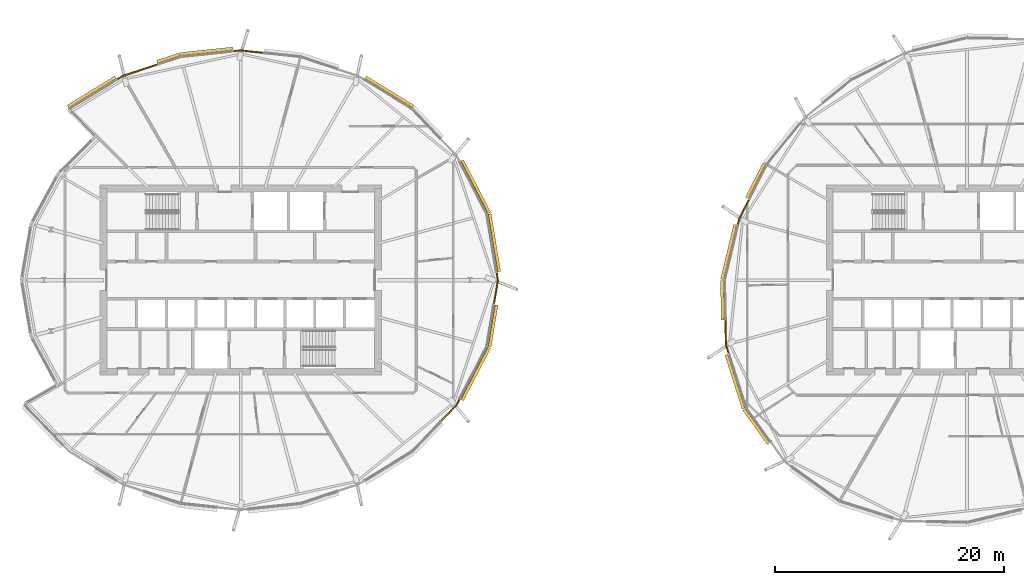
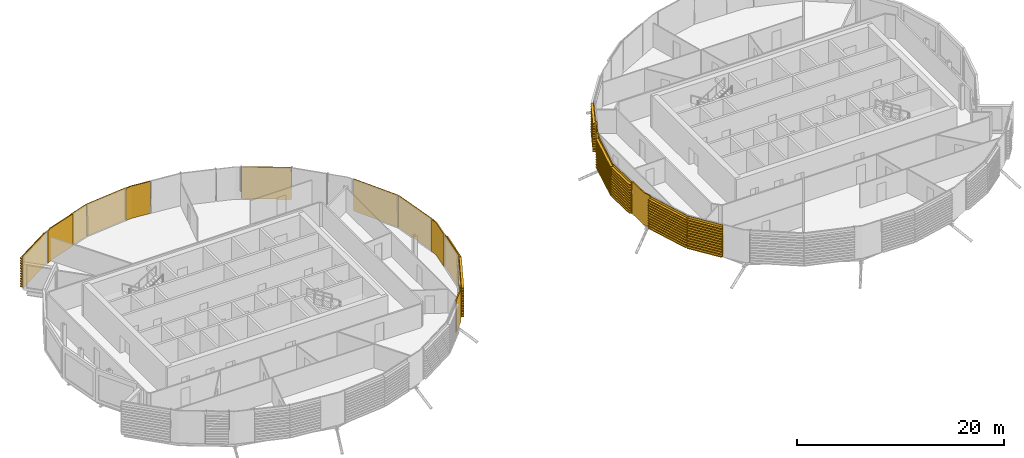
# One storey, part 34 of 37: 19 coverings.
"""IFC4 building model written with IfcOpenShell, lengths in metres."""

import ifcopenshell
import ifcopenshell.guid

model = None  # the IFC model being written
_history = None  # IfcOwnerHistory: only IFC2X3 demands one
_inside = {}  # id of a spatial element -> (the spatial element, [elements in it])
_under = {}  # id of a project, library or spatial element -> (it, [spatial elements below it])
_declared = {}  # id of a project -> (the project, [libraries it declares])
_typed = {}  # id of a type object -> (the type object, [elements of that type])
_made_of = {}  # id of a material, layer set ... -> (it, [elements and type objects made of it])


def new_model(schema):
    """Start an empty IFC model of exactly this schema.

    Asked for "IFC4X3", IfcOpenShell would pick the latest addendum, in which some entities
    have other attributes; the version numbers below select the first issue.
    IFC2X3 requires an IfcOwnerHistory on every rooted entity: one is made here for all.
    """
    global model, _history
    if schema == "IFC4X3":
        model = ifcopenshell.file(schema_version=(4, 3, 0, 0))
    else:
        model = ifcopenshell.file(schema=schema)
    _inside.clear()
    _under.clear()
    _declared.clear()
    _typed.clear()
    _made_of.clear()
    _history = None
    if model.schema == "IFC2X3":
        org = make("IfcOrganization", Name="unknown")
        user = make(
            "IfcPersonAndOrganization",
            ThePerson=make("IfcPerson", FamilyName="unknown"),
            TheOrganization=org,
        )
        app = make(
            "IfcApplication",
            ApplicationDeveloper=org,
            Version="unknown",
            ApplicationFullName="unknown",
            ApplicationIdentifier="unknown",
        )
        _history = make(
            "IfcOwnerHistory",
            OwningUser=user,
            OwningApplication=app,
            ChangeAction="ADDED",
            CreationDate=0,
        )
    return model


def make(cls, **values):
    """One entity of the class cls with the attributes given. An attribute that is None is left unset."""
    return model.create_entity(
        cls, **{name: value for name, value in values.items() if value is not None}
    )


def rooted(cls, **values):
    """An entity with a GlobalId (a new one), such as an element, a storey or a relation."""
    return make(cls, GlobalId=ifcopenshell.guid.new(), OwnerHistory=_history, **values)


def si_unit(unit_type, name, prefix=None):
    """IfcSIUnit, for example si_unit("LENGTHUNIT", "METRE", prefix="MILLI")."""
    return make("IfcSIUnit", UnitType=unit_type, Prefix=prefix, Name=name)


def assignment(units):
    """IfcUnitAssignment: the units of a project."""
    return None if units is None else make("IfcUnitAssignment", Units=units)


def point(xyz):
    """IfcCartesianPoint."""
    return None if xyz is None else make("IfcCartesianPoint", Coordinates=xyz)


def direction(xyz):
    """IfcDirection."""
    return None if xyz is None else make("IfcDirection", DirectionRatios=xyz)


def frame(location, z_axis=None, x_axis=None):
    """IfcAxis2Placement3D, a coordinate frame: its origin and axes. An axis left out is left unset."""
    return make(
        "IfcAxis2Placement3D",
        Location=point(location),
        Axis=direction(z_axis),
        RefDirection=direction(x_axis),
    )


def origin():
    """The frame at (0, 0, 0) with its axes left unset."""
    return frame((0.0, 0.0, 0.0))


def place(relative_to, where):
    """IfcLocalPlacement: puts the frame where relative to a parent placement (None: the world)."""
    return make(
        "IfcLocalPlacement", PlacementRelTo=relative_to, RelativePlacement=where
    )


def context(
    kind, dimensions, precision=None, world=None, true_north=None, identifier=None
):
    """IfcGeometricRepresentationContext, for example the 3D "Model" context."""
    return make(
        "IfcGeometricRepresentationContext",
        ContextIdentifier=identifier,
        ContextType=kind,
        CoordinateSpaceDimension=dimensions,
        Precision=precision,
        WorldCoordinateSystem=world,
        TrueNorth=true_north,
    )


def subcontext(parent, identifier, kind, view, scale=None):
    """IfcGeometricRepresentationSubContext, for example "Body" below "Model"."""
    return make(
        "IfcGeometricRepresentationSubContext",
        ContextIdentifier=identifier,
        ContextType=kind,
        ParentContext=parent,
        TargetScale=scale,
        TargetView=view,
    )


def project(units=None, contexts=None):
    """IfcProject with its units and contexts."""
    return rooted(
        "IfcProject",
        Name="project",
        RepresentationContexts=contexts,
        UnitsInContext=assignment(units),
    )


def spatial(cls, under=None, at=None, **own):
    """A site, building, storey or space (cls), placed at a placement, below another one or the project."""
    s = rooted(cls, ObjectPlacement=at, **own)
    if under is not None:
        _under.setdefault(under.id(), (under, []))[1].append(s)
    return s


def polyline(points):
    """IfcPolyline through the points."""
    return make("IfcPolyline", Points=[point(p) for p in points])


def outline(outer, holes=None, kind="AREA"):
    """IfcArbitraryClosedProfileDef: a profile drawn as a closed curve; with holes, ...WithVoids."""
    if holes is None:
        return make("IfcArbitraryClosedProfileDef", ProfileType=kind, OuterCurve=outer)
    return make(
        "IfcArbitraryProfileDefWithVoids",
        ProfileType=kind,
        OuterCurve=outer,
        InnerCurves=holes,
    )


def extrude(swept, where, along, depth):
    """IfcExtrudedAreaSolid: the profile swept, set in the frame where, extruded along a direction by depth."""
    return make(
        "IfcExtrudedAreaSolid",
        SweptArea=swept,
        Position=where,
        ExtrudedDirection=direction(along),
        Depth=depth,
    )


def shape(context_of_items, identifier, shape_type, items):
    """IfcShapeRepresentation: the items that make up one representation, for example the "Body"."""
    return make(
        "IfcShapeRepresentation",
        ContextOfItems=context_of_items,
        RepresentationIdentifier=identifier,
        RepresentationType=shape_type,
        Items=items,
    )


def material(Name=None, Category=None):
    """IfcMaterial."""
    return make("IfcMaterial", Name=Name, Category=Category)


def layer(
    of_material, thickness, ventilated=None, Name=None, Category=None, Priority=None
):
    """IfcMaterialLayer: one layer of a wall or slab, of a material (None: an air gap)."""
    return make(
        "IfcMaterialLayer",
        Material=of_material,
        LayerThickness=thickness,
        IsVentilated=ventilated,
        Name=Name,
        Category=Category,
        Priority=Priority,
    )


def layer_set(layers, Name=None):
    """IfcMaterialLayerSet."""
    return make("IfcMaterialLayerSet", MaterialLayers=layers, LayerSetName=Name)


def material_profile(
    of_material, cross_section, Name=None, Category=None, Priority=None
):
    """IfcMaterialProfile: a cross section and its material."""
    return make(
        "IfcMaterialProfile",
        Name=Name,
        Material=of_material,
        Profile=cross_section,
        Priority=Priority,
        Category=Category,
    )


def profile_set(profiles, Name=None, composite=None):
    """IfcMaterialProfileSet."""
    return make(
        "IfcMaterialProfileSet",
        Name=Name,
        MaterialProfiles=profiles,
        CompositeProfile=composite,
    )


def made_of(thing, what):
    """Note that an element or type object is made of a material, layer set ...; save() writes the relation."""
    if what is not None:
        _made_of.setdefault(what.id(), (what, []))[1].append(thing)
    return thing


def type_object(cls, material=None, **own):
    """A type object (cls), such as IfcWallType, which elements share."""
    return made_of(rooted(cls, **own), material)


def element(
    cls,
    number,
    at=None,
    inside=None,
    cuts=None,
    type_object=None,
    material=None,
    context=None,
    identifier="Body",
    shape_type=None,
    held_by="IfcProductDefinitionShape",
    body=None,
    shapes=None,
    **own,
):
    """One element of the class cls, such as IfcWall. Its Tag is "e" and its number.

    at: its placement. inside: the storey or other place that contains it. cuts: it is an
    opening in that element (IfcRelVoidsElement). A single representation is given by context,
    identifier, shape_type and body (its items); several are given by shapes. held_by: the class
    of the entity that holds the representations. save() writes the other relations.
    """
    e = rooted(cls, Tag="e%d" % number, ObjectPlacement=at, **own)
    if body is not None:
        shapes = [shape(context, identifier, shape_type, body)]
    if shapes is not None:
        e.Representation = make(held_by, Representations=shapes)
    if inside is not None:
        _inside.setdefault(inside.id(), (inside, []))[1].append(e)
    if cuts is not None:
        rooted(
            "IfcRelVoidsElement", RelatingBuildingElement=cuts, RelatedOpeningElement=e
        )
    if type_object is not None:
        _typed.setdefault(type_object.id(), (type_object, []))[1].append(e)
    return made_of(e, material)


def aggregate(whole, parts):
    """IfcRelAggregates: a whole, such as a stair, and the parts it consists of."""
    return rooted("IfcRelAggregates", RelatingObject=whole, RelatedObjects=parts)


def save(model, path):
    """Write the relations noted so far, then the file.

    IfcRelAggregates (storeys below a building ...), IfcRelContainedInSpatialStructure (elements
    in a storey), IfcRelDefinesByType, IfcRelAssociatesMaterial and IfcRelDeclares: one each for
    every whole, place, type object, material and project.
    """
    for whole, parts in _under.values():
        aggregate(whole, parts)
    for where, things in _inside.values():
        rooted(
            "IfcRelContainedInSpatialStructure",
            RelatedElements=things,
            RelatingStructure=where,
        )
    for kind, things in _typed.values():
        rooted("IfcRelDefinesByType", RelatedObjects=things, RelatingType=kind)
    for what, things in _made_of.values():
        rooted("IfcRelAssociatesMaterial", RelatedObjects=things, RelatingMaterial=what)
    for by, libraries in _declared.values():
        rooted("IfcRelDeclares", RelatingContext=by, RelatedDefinitions=libraries)
    model.write(path)


model = new_model("IFC4")

# Units and contexts
model_context = context("Model", 3, precision=1e-05, world=origin(), true_north=direction((0.0, 1.0)))
body_context = subcontext(model_context, "Body", "Model", "MODEL_VIEW")
ifc_project = project(units=[si_unit("LENGTHUNIT", "METRE"), si_unit("AREAUNIT", "SQUARE_METRE"), si_unit("VOLUMEUNIT", "CUBIC_METRE"), si_unit("PLANEANGLEUNIT", "RADIAN"), si_unit("MASSUNIT", "GRAM", prefix="KILO")], contexts=[model_context])

# Site, building, storey
site_placement = place(None, origin())
site = spatial("IfcSite", under=ifc_project, at=site_placement, CompositionType="ELEMENT")
building_placement = place(site_placement, origin())
building = spatial("IfcBuilding", under=site, at=building_placement, Name="Rimbun Link Towers", CompositionType="ELEMENT")
storey_placement = place(building_placement, frame((0.0, 0.0, 162.699951171875)))
storey = spatial("IfcBuildingStorey", under=building, at=storey_placement, Name="L39", CompositionType="ELEMENT", Elevation=162.699951171875)

# Coverings
ifc_material_1 = material(Name="Terracotta", Category="masonry")
ifc_layer = layer(ifc_material_1, 0.1201171875)
ifc_layer_set = layer_set([ifc_layer], Name="LINK PIER terracotta cladding 120")
covering_type_1 = type_object("IfcCoveringType", Name="LINK PIER terracotta cladding 120", PredefinedType="CLADDING", material=ifc_layer_set)
covering_1_placement = place(storey_placement, origin())
element("IfcCovering", 1, at=covering_1_placement, inside=storey, type_object=covering_type_1, Name="LINK PIER cladding", PredefinedType="CLADDING", context=body_context, shape_type="SweptSolid", body=[
    extrude(outline(polyline([(-9.422607421875, 0.6611328125), (-9.31396484375, 0.0), (-9.657958984375, -2.091796875), (-9.53955078125, -2.111328125), (-9.1923828125, 0.0), (-9.30419921875, 0.6806640625), (-9.422607421875, 0.6611328125)])), origin(), (0.0, 0.0, 1.0), 3.800048828125),
])
covering_2_placement = place(storey_placement, origin())
element("IfcCovering", 2, at=covering_2_placement, inside=storey, type_object=covering_type_1, Name="LINK PIER cladding", PredefinedType="CLADDING", context=body_context, shape_type="SweptSolid", body=[
    extrude(outline(polyline([(-32.36669921875, 19.967041015625), (-31.75, 20.031982421875), (-29.7412109375, 19.820556640625), (-29.728515625, 19.93994140625), (-31.75, 20.15283203125), (-32.379150390625, 20.08642578125), (-32.36669921875, 19.967041015625)])), origin(), (0.0, 0.0, 1.0), 3.800048828125),
])
covering_3_placement = place(storey_placement, origin())
element("IfcCovering", 3, at=covering_3_placement, inside=storey, type_object=covering_type_1, Name="LINK PIER cladding", PredefinedType="CLADDING", context=body_context, shape_type="SweptSolid", body=[
    extrude(outline(polyline([(-42.515869140625, 17.50732421875), (-42.030029296875, 17.8056640625), (-38.9736328125, 18.818359375), (-39.01123046875, 18.932373046875), (-42.0810546875, 17.9150390625), (-42.57861328125, 17.609619140625), (-42.515869140625, 17.50732421875)])), origin(), (0.0, 0.0, 1.0), 3.800048828125),
])
covering_4_placement = place(storey_placement, origin())
element("IfcCovering", 4, at=covering_4_placement, inside=storey, type_object=covering_type_1, Name="LINK PIER cladding", PredefinedType="CLADDING", context=body_context, shape_type="SweptSolid", body=[
    extrude(outline(polyline([(-12.64794921875, -10.37109375), (-12.909912109375, -10.87744140625), (-14.273193359375, -12.299560546875), (-14.1865234375, -12.382568359375), (-12.811279296875, -10.947998046875), (-12.541259765625, -10.42626953125), (-12.64794921875, -10.37109375)])), origin(), (0.0, 0.0, 1.0), 3.800048828125),
])
covering_5_placement = place(storey_placement, origin())
element("IfcCovering", 5, at=covering_5_placement, inside=storey, type_object=covering_type_1, Name="LINK PIER cladding", PredefinedType="CLADDING", context=body_context, shape_type="SweptSolid", body=[
    extrude(outline(polyline([(11.76953125, 4.815673828125), (11.890380859375, 5.3212890625), (12.752197265625, 7.037109375), (12.644775390625, 7.091064453125), (11.777099609375, 5.36279296875), (11.65283203125, 4.843505859375), (11.76953125, 4.815673828125)])), origin(), (0.0, 0.0, 1.0), 3.800048828125),
])
covering_6_placement = place(storey_placement, origin())
element("IfcCovering", 6, at=covering_6_placement, inside=storey, type_object=covering_type_1, Name="LINK PIER cladding", PredefinedType="CLADDING", context=body_context, shape_type="SweptSolid", body=[
    extrude(outline(polyline([(10.98486328125, -6.412109375), (10.736328125, -5.630615234375), (10.691650390625, -3.510986328125), (10.57177734375, -3.513671875), (10.61669921875, -5.650390625), (10.87060546875, -6.448486328125), (10.98486328125, -6.412109375)])), origin(), (0.0, 0.0, 1.0), 3.800048828125),
])
ifc_material_2 = material(Name="Terracotta", Category="masonry")
ifc_material_profile = material_profile(ifc_material_2, outline(polyline([(0.123046875, 0.0), (0.1630859375, 0.0), (0.1630859375, 0.10009765625), (0.423095703125, 0.10009765625), (0.423095703125, 0.219970703125), (0.1630859375, 0.219970703125), (0.1630859375, 0.39990234375), (0.423095703125, 0.39990234375), (0.423095703125, 0.52001953125), (0.1630859375, 0.52001953125), (0.1630859375, 0.699951171875), (0.423095703125, 0.699951171875), (0.423095703125, 0.820068359375), (0.1630859375, 0.820068359375), (0.1630859375, 1.0), (0.423095703125, 1.0), (0.423095703125, 1.1201171875), (0.1630859375, 1.1201171875), (0.1630859375, 1.300048828125), (0.423095703125, 1.300048828125), (0.423095703125, 1.419921875), (0.1630859375, 1.419921875), (0.1630859375, 1.60009765625), (0.423095703125, 1.60009765625), (0.423095703125, 1.719970703125), (0.1630859375, 1.719970703125), (0.1630859375, 1.89990234375), (0.423095703125, 1.89990234375), (0.423095703125, 2.02001953125), (0.1630859375, 2.02001953125), (0.1630859375, 2.199951171875), (0.423095703125, 2.199951171875), (0.423095703125, 2.320068359375), (0.1630859375, 2.320068359375), (0.1630859375, 2.5), (0.423095703125, 2.5), (0.423095703125, 2.6201171875), (0.1630859375, 2.6201171875), (0.1630859375, 2.800048828125), (0.423095703125, 2.800048828125), (0.423095703125, 2.919921875), (0.1630859375, 2.919921875), (0.1630859375, 3.10009765625), (0.423095703125, 3.10009765625), (0.423095703125, 3.219970703125), (0.1630859375, 3.219970703125), (0.1630859375, 3.39990234375), (0.423095703125, 3.39990234375), (0.423095703125, 3.52001953125), (0.1630859375, 3.52001953125), (0.1630859375, 3.800048828125), (0.123046875, 3.800048828125), (0.123046875, 0.0)])), Name="BAGUETTE 120X300")
ifc_profile_set = profile_set([ifc_material_profile], Name="Terracotta")
covering_type_2 = type_object("IfcCoveringType", Name="TERRACOTTA BAGUETTE 120X300 H3800", PredefinedType="CLADDING", material=ifc_profile_set)
covering_7_placement = place(storey_placement, frame((-10.2607421875, 5.758056640625, 0.0), z_axis=(0.162255426092, -0.986748791083, 0.0), x_axis=(0.986748791083, 0.162255426092, 0.0)))
element("IfcCovering", 7, at=covering_7_placement, inside=storey, type_object=covering_type_2, Name="TERRACOTTA BAGUETTE", PredefinedType="CLADDING", context=body_context, shape_type="SweptSolid", body=[
    extrude(outline(polyline([(0.123046875, 0.0), (0.1630859375, 0.0), (0.1630859375, 0.10009765625), (0.423095703125, 0.10009765625), (0.423095703125, 0.219970703125), (0.1630859375, 0.219970703125), (0.1630859375, 0.39990234375), (0.423095703125, 0.39990234375), (0.423095703125, 0.52001953125), (0.1630859375, 0.52001953125), (0.1630859375, 0.699951171875), (0.423095703125, 0.699951171875), (0.423095703125, 0.820068359375), (0.1630859375, 0.820068359375), (0.1630859375, 1.0), (0.423095703125, 1.0), (0.423095703125, 1.1201171875), (0.1630859375, 1.1201171875), (0.1630859375, 1.300048828125), (0.423095703125, 1.300048828125), (0.423095703125, 1.419921875), (0.1630859375, 1.419921875), (0.1630859375, 1.60009765625), (0.423095703125, 1.60009765625), (0.423095703125, 1.719970703125), (0.1630859375, 1.719970703125), (0.1630859375, 1.89990234375), (0.423095703125, 1.89990234375), (0.423095703125, 2.02001953125), (0.1630859375, 2.02001953125), (0.1630859375, 2.199951171875), (0.423095703125, 2.199951171875), (0.423095703125, 2.320068359375), (0.1630859375, 2.320068359375), (0.1630859375, 2.5), (0.423095703125, 2.5), (0.423095703125, 2.6201171875), (0.1630859375, 2.6201171875), (0.1630859375, 2.800048828125), (0.423095703125, 2.800048828125), (0.423095703125, 2.919921875), (0.1630859375, 2.919921875), (0.1630859375, 3.10009765625), (0.423095703125, 3.10009765625), (0.423095703125, 3.219970703125), (0.1630859375, 3.219970703125), (0.1630859375, 3.39990234375), (0.423095703125, 3.39990234375), (0.423095703125, 3.52001953125), (0.1630859375, 3.52001953125), (0.1630859375, 3.800048828125), (0.123046875, 3.800048828125), (0.123046875, 0.0)])), origin(), (0.0, 0.0, 1.0), 5.135498046875),
])
covering_8_placement = place(storey_placement, frame((-12.634033203125, 10.344482421875, 0.0), z_axis=(0.459575962329, -0.888138466034, 0.0), x_axis=(0.888138466034, 0.459575962329, 0.0)))
element("IfcCovering", 8, at=covering_8_placement, inside=storey, type_object=covering_type_2, Name="TERRACOTTA BAGUETTE", PredefinedType="CLADDING", context=body_context, shape_type="SweptSolid", body=[
    extrude(outline(polyline([(0.123046875, 0.0), (0.1630859375, 0.0), (0.1630859375, 0.10009765625), (0.423095703125, 0.10009765625), (0.423095703125, 0.219970703125), (0.1630859375, 0.219970703125), (0.1630859375, 0.39990234375), (0.423095703125, 0.39990234375), (0.423095703125, 0.52001953125), (0.1630859375, 0.52001953125), (0.1630859375, 0.699951171875), (0.423095703125, 0.699951171875), (0.423095703125, 0.820068359375), (0.1630859375, 0.820068359375), (0.1630859375, 1.0), (0.423095703125, 1.0), (0.423095703125, 1.1201171875), (0.1630859375, 1.1201171875), (0.1630859375, 1.300048828125), (0.423095703125, 1.300048828125), (0.423095703125, 1.419921875), (0.1630859375, 1.419921875), (0.1630859375, 1.60009765625), (0.423095703125, 1.60009765625), (0.423095703125, 1.719970703125), (0.1630859375, 1.719970703125), (0.1630859375, 1.89990234375), (0.423095703125, 1.89990234375), (0.423095703125, 2.02001953125), (0.1630859375, 2.02001953125), (0.1630859375, 2.199951171875), (0.423095703125, 2.199951171875), (0.423095703125, 2.320068359375), (0.1630859375, 2.320068359375), (0.1630859375, 2.5), (0.423095703125, 2.5), (0.423095703125, 2.6201171875), (0.1630859375, 2.6201171875), (0.1630859375, 2.800048828125), (0.423095703125, 2.800048828125), (0.423095703125, 2.919921875), (0.1630859375, 2.919921875), (0.1630859375, 3.10009765625), (0.423095703125, 3.10009765625), (0.423095703125, 3.219970703125), (0.1630859375, 3.219970703125), (0.1630859375, 3.39990234375), (0.423095703125, 3.39990234375), (0.423095703125, 3.52001953125), (0.1630859375, 3.52001953125), (0.1630859375, 3.800048828125), (0.123046875, 3.800048828125), (0.123046875, 0.0)])), origin(), (0.0, 0.0, 1.0), 5.1640625),
])
covering_9_placement = place(storey_placement, frame((-20.95849609375, 17.49169921875, 0.0), z_axis=(0.852158679137, -0.523283465792, 0.0), x_axis=(0.523283465792, 0.852158679137, 0.0)))
element("IfcCovering", 9, at=covering_9_placement, inside=storey, type_object=covering_type_2, Name="TERRACOTTA BAGUETTE", PredefinedType="CLADDING", context=body_context, shape_type="SweptSolid", body=[
    extrude(outline(polyline([(0.123046875, 0.0), (0.1630859375, 0.0), (0.1630859375, 0.10009765625), (0.423095703125, 0.10009765625), (0.423095703125, 0.219970703125), (0.1630859375, 0.219970703125), (0.1630859375, 0.39990234375), (0.423095703125, 0.39990234375), (0.423095703125, 0.52001953125), (0.1630859375, 0.52001953125), (0.1630859375, 0.699951171875), (0.423095703125, 0.699951171875), (0.423095703125, 0.820068359375), (0.1630859375, 0.820068359375), (0.1630859375, 1.0), (0.423095703125, 1.0), (0.423095703125, 1.1201171875), (0.1630859375, 1.1201171875), (0.1630859375, 1.300048828125), (0.423095703125, 1.300048828125), (0.423095703125, 1.419921875), (0.1630859375, 1.419921875), (0.1630859375, 1.60009765625), (0.423095703125, 1.60009765625), (0.423095703125, 1.719970703125), (0.1630859375, 1.719970703125), (0.1630859375, 1.89990234375), (0.423095703125, 1.89990234375), (0.423095703125, 2.02001953125), (0.1630859375, 2.02001953125), (0.1630859375, 2.199951171875), (0.423095703125, 2.199951171875), (0.423095703125, 2.320068359375), (0.1630859375, 2.320068359375), (0.1630859375, 2.5), (0.423095703125, 2.5), (0.423095703125, 2.6201171875), (0.1630859375, 2.6201171875), (0.1630859375, 2.800048828125), (0.423095703125, 2.800048828125), (0.423095703125, 2.919921875), (0.1630859375, 2.919921875), (0.1630859375, 3.10009765625), (0.423095703125, 3.10009765625), (0.423095703125, 3.219970703125), (0.1630859375, 3.219970703125), (0.1630859375, 3.39990234375), (0.423095703125, 3.39990234375), (0.423095703125, 3.52001953125), (0.1630859375, 3.52001953125), (0.1630859375, 3.800048828125), (0.123046875, 3.800048828125), (0.123046875, 0.0)])), origin(), (0.0, 0.0, 1.0), 4.871337890625),
])
covering_10_placement = place(storey_placement, frame((-36.97021484375, 19.482421875, 0.0), z_axis=(0.994499924847, 0.104737287911, 0.0), x_axis=(-0.104737287911, 0.994499924847, 0.0)))
element("IfcCovering", 10, at=covering_10_placement, inside=storey, type_object=covering_type_2, Name="TERRACOTTA BAGUETTE", PredefinedType="CLADDING", context=body_context, shape_type="SweptSolid", body=[
    extrude(outline(polyline([(0.123046875, 0.0), (0.1630859375, 0.0), (0.1630859375, 0.10009765625), (0.423095703125, 0.10009765625), (0.423095703125, 0.219970703125), (0.1630859375, 0.219970703125), (0.1630859375, 0.39990234375), (0.423095703125, 0.39990234375), (0.423095703125, 0.52001953125), (0.1630859375, 0.52001953125), (0.1630859375, 0.699951171875), (0.423095703125, 0.699951171875), (0.423095703125, 0.820068359375), (0.1630859375, 0.820068359375), (0.1630859375, 1.0), (0.423095703125, 1.0), (0.423095703125, 1.1201171875), (0.1630859375, 1.1201171875), (0.1630859375, 1.300048828125), (0.423095703125, 1.300048828125), (0.423095703125, 1.419921875), (0.1630859375, 1.419921875), (0.1630859375, 1.60009765625), (0.423095703125, 1.60009765625), (0.423095703125, 1.719970703125), (0.1630859375, 1.719970703125), (0.1630859375, 1.89990234375), (0.423095703125, 1.89990234375), (0.423095703125, 2.02001953125), (0.1630859375, 2.02001953125), (0.1630859375, 2.199951171875), (0.423095703125, 2.199951171875), (0.423095703125, 2.320068359375), (0.1630859375, 2.320068359375), (0.1630859375, 2.5), (0.423095703125, 2.5), (0.423095703125, 2.6201171875), (0.1630859375, 2.6201171875), (0.1630859375, 2.800048828125), (0.423095703125, 2.800048828125), (0.423095703125, 2.919921875), (0.1630859375, 2.919921875), (0.1630859375, 3.10009765625), (0.423095703125, 3.10009765625), (0.423095703125, 3.219970703125), (0.1630859375, 3.219970703125), (0.1630859375, 3.39990234375), (0.423095703125, 3.39990234375), (0.423095703125, 3.52001953125), (0.1630859375, 3.52001953125), (0.1630859375, 3.800048828125), (0.123046875, 3.800048828125), (0.123046875, 0.0)])), origin(), (0.0, 0.0, 1.0), 4.59912109375),
])
covering_11_placement = place(storey_placement, frame((-38.945068359375, 18.827880859375, 0.0), z_axis=(0.949221713149, 0.31460791358, 0.0), x_axis=(-0.31460791358, 0.949221713149, 0.0)))
element("IfcCovering", 11, at=covering_11_placement, inside=storey, type_object=covering_type_2, Name="TERRACOTTA BAGUETTE", PredefinedType="CLADDING", context=body_context, shape_type="SweptSolid", body=[
    extrude(outline(polyline([(0.123046875, 0.0), (0.1630859375, 0.0), (0.1630859375, 0.10009765625), (0.423095703125, 0.10009765625), (0.423095703125, 0.219970703125), (0.1630859375, 0.219970703125), (0.1630859375, 0.39990234375), (0.423095703125, 0.39990234375), (0.423095703125, 0.52001953125), (0.1630859375, 0.52001953125), (0.1630859375, 0.699951171875), (0.423095703125, 0.699951171875), (0.423095703125, 0.820068359375), (0.1630859375, 0.820068359375), (0.1630859375, 1.0), (0.423095703125, 1.0), (0.423095703125, 1.1201171875), (0.1630859375, 1.1201171875), (0.1630859375, 1.300048828125), (0.423095703125, 1.300048828125), (0.423095703125, 1.419921875), (0.1630859375, 1.419921875), (0.1630859375, 1.60009765625), (0.423095703125, 1.60009765625), (0.423095703125, 1.719970703125), (0.1630859375, 1.719970703125), (0.1630859375, 1.89990234375), (0.423095703125, 1.89990234375), (0.423095703125, 2.02001953125), (0.1630859375, 2.02001953125), (0.1630859375, 2.199951171875), (0.423095703125, 2.199951171875), (0.423095703125, 2.320068359375), (0.1630859375, 2.320068359375), (0.1630859375, 2.5), (0.423095703125, 2.5), (0.423095703125, 2.6201171875), (0.1630859375, 2.6201171875), (0.1630859375, 2.800048828125), (0.423095703125, 2.800048828125), (0.423095703125, 2.919921875), (0.1630859375, 2.919921875), (0.1630859375, 3.10009765625), (0.423095703125, 3.10009765625), (0.423095703125, 3.219970703125), (0.1630859375, 3.219970703125), (0.1630859375, 3.39990234375), (0.423095703125, 3.39990234375), (0.423095703125, 3.52001953125), (0.1630859375, 3.52001953125), (0.1630859375, 3.800048828125), (0.123046875, 3.800048828125), (0.123046875, 0.0)])), origin(), (0.0, 0.0, 1.0), 2.08056640625),
])
covering_12_placement = place(storey_placement, frame((-46.692626953125, 14.942626953125, 0.0), z_axis=(0.852158679137, 0.523283465792, 0.0), x_axis=(-0.523283465792, 0.852158679137, 0.0)))
element("IfcCovering", 12, at=covering_12_placement, inside=storey, type_object=covering_type_2, Name="TERRACOTTA BAGUETTE", PredefinedType="CLADDING", context=body_context, shape_type="SweptSolid", body=[
    extrude(outline(polyline([(0.123046875, 0.0), (0.1630859375, 0.0), (0.1630859375, 0.10009765625), (0.423095703125, 0.10009765625), (0.423095703125, 0.219970703125), (0.1630859375, 0.219970703125), (0.1630859375, 0.39990234375), (0.423095703125, 0.39990234375), (0.423095703125, 0.52001953125), (0.1630859375, 0.52001953125), (0.1630859375, 0.699951171875), (0.423095703125, 0.699951171875), (0.423095703125, 0.820068359375), (0.1630859375, 0.820068359375), (0.1630859375, 1.0), (0.423095703125, 1.0), (0.423095703125, 1.1201171875), (0.1630859375, 1.1201171875), (0.1630859375, 1.300048828125), (0.423095703125, 1.300048828125), (0.423095703125, 1.419921875), (0.1630859375, 1.419921875), (0.1630859375, 1.60009765625), (0.423095703125, 1.60009765625), (0.423095703125, 1.719970703125), (0.1630859375, 1.719970703125), (0.1630859375, 1.89990234375), (0.423095703125, 1.89990234375), (0.423095703125, 2.02001953125), (0.1630859375, 2.02001953125), (0.1630859375, 2.199951171875), (0.423095703125, 2.199951171875), (0.423095703125, 2.320068359375), (0.1630859375, 2.320068359375), (0.1630859375, 2.5), (0.423095703125, 2.5), (0.423095703125, 2.6201171875), (0.1630859375, 2.6201171875), (0.1630859375, 2.800048828125), (0.423095703125, 2.800048828125), (0.423095703125, 2.919921875), (0.1630859375, 2.919921875), (0.1630859375, 3.10009765625), (0.423095703125, 3.10009765625), (0.423095703125, 3.219970703125), (0.1630859375, 3.219970703125), (0.1630859375, 3.39990234375), (0.423095703125, 3.39990234375), (0.423095703125, 3.52001953125), (0.1630859375, 3.52001953125), (0.1630859375, 3.800048828125), (0.123046875, 3.800048828125), (0.123046875, 0.0)])), origin(), (0.0, 0.0, 1.0), 4.871337890625),
])
covering_13_placement = place(storey_placement, frame((-10.2607421875, -5.758056640625, 0.0), z_axis=(-0.459575962329, -0.888138466034, 0.0), x_axis=(0.888138466034, -0.459575962329, 0.0)))
element("IfcCovering", 13, at=covering_13_placement, inside=storey, type_object=covering_type_2, Name="TERRACOTTA BAGUETTE", PredefinedType="CLADDING", context=body_context, shape_type="SweptSolid", body=[
    extrude(outline(polyline([(0.123046875, 0.0), (0.1630859375, 0.0), (0.1630859375, 0.10009765625), (0.423095703125, 0.10009765625), (0.423095703125, 0.219970703125), (0.1630859375, 0.219970703125), (0.1630859375, 0.39990234375), (0.423095703125, 0.39990234375), (0.423095703125, 0.52001953125), (0.1630859375, 0.52001953125), (0.1630859375, 0.699951171875), (0.423095703125, 0.699951171875), (0.423095703125, 0.820068359375), (0.1630859375, 0.820068359375), (0.1630859375, 1.0), (0.423095703125, 1.0), (0.423095703125, 1.1201171875), (0.1630859375, 1.1201171875), (0.1630859375, 1.300048828125), (0.423095703125, 1.300048828125), (0.423095703125, 1.419921875), (0.1630859375, 1.419921875), (0.1630859375, 1.60009765625), (0.423095703125, 1.60009765625), (0.423095703125, 1.719970703125), (0.1630859375, 1.719970703125), (0.1630859375, 1.89990234375), (0.423095703125, 1.89990234375), (0.423095703125, 2.02001953125), (0.1630859375, 2.02001953125), (0.1630859375, 2.199951171875), (0.423095703125, 2.199951171875), (0.423095703125, 2.320068359375), (0.1630859375, 2.320068359375), (0.1630859375, 2.5), (0.423095703125, 2.5), (0.423095703125, 2.6201171875), (0.1630859375, 2.6201171875), (0.1630859375, 2.800048828125), (0.423095703125, 2.800048828125), (0.423095703125, 2.919921875), (0.1630859375, 2.919921875), (0.1630859375, 3.10009765625), (0.423095703125, 3.10009765625), (0.423095703125, 3.219970703125), (0.1630859375, 3.219970703125), (0.1630859375, 3.39990234375), (0.423095703125, 3.39990234375), (0.423095703125, 3.52001953125), (0.1630859375, 3.52001953125), (0.1630859375, 3.800048828125), (0.123046875, 3.800048828125), (0.123046875, 0.0)])), origin(), (0.0, 0.0, 1.0), 5.1640625),
])
covering_14_placement = place(storey_placement, frame((-9.662841796875, -2.12158203125, 0.0), z_axis=(-0.162239294084, -0.986751443604, 0.0), x_axis=(0.986751443604, -0.162239294084, 0.0)))
element("IfcCovering", 14, at=covering_14_placement, inside=storey, type_object=covering_type_2, Name="TERRACOTTA BAGUETTE", PredefinedType="CLADDING", context=body_context, shape_type="SweptSolid", body=[
    extrude(outline(polyline([(0.123046875, 0.0), (0.1630859375, 0.0), (0.1630859375, 0.10009765625), (0.423095703125, 0.10009765625), (0.423095703125, 0.219970703125), (0.1630859375, 0.219970703125), (0.1630859375, 0.39990234375), (0.423095703125, 0.39990234375), (0.423095703125, 0.52001953125), (0.1630859375, 0.52001953125), (0.1630859375, 0.699951171875), (0.423095703125, 0.699951171875), (0.423095703125, 0.820068359375), (0.1630859375, 0.820068359375), (0.1630859375, 1.0), (0.423095703125, 1.0), (0.423095703125, 1.1201171875), (0.1630859375, 1.1201171875), (0.1630859375, 1.300048828125), (0.423095703125, 1.300048828125), (0.423095703125, 1.419921875), (0.1630859375, 1.419921875), (0.1630859375, 1.60009765625), (0.423095703125, 1.60009765625), (0.423095703125, 1.719970703125), (0.1630859375, 1.719970703125), (0.1630859375, 1.89990234375), (0.423095703125, 1.89990234375), (0.423095703125, 2.02001953125), (0.1630859375, 2.02001953125), (0.1630859375, 2.199951171875), (0.423095703125, 2.199951171875), (0.423095703125, 2.320068359375), (0.1630859375, 2.320068359375), (0.1630859375, 2.5), (0.423095703125, 2.5), (0.423095703125, 2.6201171875), (0.1630859375, 2.6201171875), (0.1630859375, 2.800048828125), (0.423095703125, 2.800048828125), (0.423095703125, 2.919921875), (0.1630859375, 2.919921875), (0.1630859375, 3.10009765625), (0.423095703125, 3.10009765625), (0.423095703125, 3.219970703125), (0.1630859375, 3.219970703125), (0.1630859375, 3.39990234375), (0.423095703125, 3.39990234375), (0.423095703125, 3.52001953125), (0.1630859375, 3.52001953125), (0.1630859375, 3.800048828125), (0.123046875, 3.800048828125), (0.123046875, 0.0)])), origin(), (0.0, 0.0, 1.0), 3.685302734375),
])
covering_15_placement = place(storey_placement, frame((12.765625, 7.06396484375, 0.0), z_axis=(0.448801824507, 0.893631312298, 0.0), x_axis=(-0.893631312298, 0.448801824507, 0.0)))
element("IfcCovering", 15, at=covering_15_placement, inside=storey, type_object=covering_type_2, Name="TERRACOTTA BAGUETTE", PredefinedType="CLADDING", context=body_context, shape_type="SweptSolid", body=[
    extrude(outline(polyline([(0.123046875, 0.0), (0.1630859375, 0.0), (0.1630859375, 0.10009765625), (0.423095703125, 0.10009765625), (0.423095703125, 0.219970703125), (0.1630859375, 0.219970703125), (0.1630859375, 0.39990234375), (0.423095703125, 0.39990234375), (0.423095703125, 0.52001953125), (0.1630859375, 0.52001953125), (0.1630859375, 0.699951171875), (0.423095703125, 0.699951171875), (0.423095703125, 0.820068359375), (0.1630859375, 0.820068359375), (0.1630859375, 1.0), (0.423095703125, 1.0), (0.423095703125, 1.1201171875), (0.1630859375, 1.1201171875), (0.1630859375, 1.300048828125), (0.423095703125, 1.300048828125), (0.423095703125, 1.419921875), (0.1630859375, 1.419921875), (0.1630859375, 1.60009765625), (0.423095703125, 1.60009765625), (0.423095703125, 1.719970703125), (0.1630859375, 1.719970703125), (0.1630859375, 1.89990234375), (0.423095703125, 1.89990234375), (0.423095703125, 2.02001953125), (0.1630859375, 2.02001953125), (0.1630859375, 2.199951171875), (0.423095703125, 2.199951171875), (0.423095703125, 2.320068359375), (0.1630859375, 2.320068359375), (0.1630859375, 2.5), (0.423095703125, 2.5), (0.423095703125, 2.6201171875), (0.1630859375, 2.6201171875), (0.1630859375, 2.800048828125), (0.423095703125, 2.800048828125), (0.423095703125, 2.919921875), (0.1630859375, 2.919921875), (0.1630859375, 3.10009765625), (0.423095703125, 3.10009765625), (0.423095703125, 3.219970703125), (0.1630859375, 3.219970703125), (0.1630859375, 3.39990234375), (0.423095703125, 3.39990234375), (0.423095703125, 3.52001953125), (0.1630859375, 3.52001953125), (0.1630859375, 3.800048828125), (0.123046875, 3.800048828125), (0.123046875, 0.0)])), origin(), (0.0, 0.0, 1.0), 3.38037109375),
])
covering_16_placement = place(storey_placement, frame((10.617919921875, 0.0, 0.0), z_axis=(0.232566072386, 0.972580599218, 0.0), x_axis=(-0.972580599218, 0.232566072386, 0.0)))
element("IfcCovering", 16, at=covering_16_placement, inside=storey, type_object=covering_type_2, Name="TERRACOTTA BAGUETTE", PredefinedType="CLADDING", context=body_context, shape_type="SweptSolid", body=[
    extrude(outline(polyline([(0.123046875, 0.0), (0.1630859375, 0.0), (0.1630859375, 0.10009765625), (0.423095703125, 0.10009765625), (0.423095703125, 0.219970703125), (0.1630859375, 0.219970703125), (0.1630859375, 0.39990234375), (0.423095703125, 0.39990234375), (0.423095703125, 0.52001953125), (0.1630859375, 0.52001953125), (0.1630859375, 0.699951171875), (0.423095703125, 0.699951171875), (0.423095703125, 0.820068359375), (0.1630859375, 0.820068359375), (0.1630859375, 1.0), (0.423095703125, 1.0), (0.423095703125, 1.1201171875), (0.1630859375, 1.1201171875), (0.1630859375, 1.300048828125), (0.423095703125, 1.300048828125), (0.423095703125, 1.419921875), (0.1630859375, 1.419921875), (0.1630859375, 1.60009765625), (0.423095703125, 1.60009765625), (0.423095703125, 1.719970703125), (0.1630859375, 1.719970703125), (0.1630859375, 1.89990234375), (0.423095703125, 1.89990234375), (0.423095703125, 2.02001953125), (0.1630859375, 2.02001953125), (0.1630859375, 2.199951171875), (0.423095703125, 2.199951171875), (0.423095703125, 2.320068359375), (0.1630859375, 2.320068359375), (0.1630859375, 2.5), (0.423095703125, 2.5), (0.423095703125, 2.6201171875), (0.1630859375, 2.6201171875), (0.1630859375, 2.800048828125), (0.423095703125, 2.800048828125), (0.423095703125, 2.919921875), (0.1630859375, 2.919921875), (0.1630859375, 3.10009765625), (0.423095703125, 3.10009765625), (0.423095703125, 3.219970703125), (0.1630859375, 3.219970703125), (0.1630859375, 3.39990234375), (0.423095703125, 3.39990234375), (0.423095703125, 3.52001953125), (0.1630859375, 3.52001953125), (0.1630859375, 3.800048828125), (0.123046875, 3.800048828125), (0.123046875, 0.0)])), origin(), (0.0, 0.0, 1.0), 4.92138671875),
])
covering_17_placement = place(storey_placement, frame((10.691162109375, -3.48095703125, 0.0), z_axis=(-0.021036163181, 0.999778715436, 0.0), x_axis=(-0.999778715436, -0.021036163181, 0.0)))
element("IfcCovering", 17, at=covering_17_placement, inside=storey, type_object=covering_type_2, Name="TERRACOTTA BAGUETTE", PredefinedType="CLADDING", context=body_context, shape_type="SweptSolid", body=[
    extrude(outline(polyline([(0.123046875, 0.0), (0.1630859375, 0.0), (0.1630859375, 0.10009765625), (0.423095703125, 0.10009765625), (0.423095703125, 0.219970703125), (0.1630859375, 0.219970703125), (0.1630859375, 0.39990234375), (0.423095703125, 0.39990234375), (0.423095703125, 0.52001953125), (0.1630859375, 0.52001953125), (0.1630859375, 0.699951171875), (0.423095703125, 0.699951171875), (0.423095703125, 0.820068359375), (0.1630859375, 0.820068359375), (0.1630859375, 1.0), (0.423095703125, 1.0), (0.423095703125, 1.1201171875), (0.1630859375, 1.1201171875), (0.1630859375, 1.300048828125), (0.423095703125, 1.300048828125), (0.423095703125, 1.419921875), (0.1630859375, 1.419921875), (0.1630859375, 1.60009765625), (0.423095703125, 1.60009765625), (0.423095703125, 1.719970703125), (0.1630859375, 1.719970703125), (0.1630859375, 1.89990234375), (0.423095703125, 1.89990234375), (0.423095703125, 2.02001953125), (0.1630859375, 2.02001953125), (0.1630859375, 2.199951171875), (0.423095703125, 2.199951171875), (0.423095703125, 2.320068359375), (0.1630859375, 2.320068359375), (0.1630859375, 2.5), (0.423095703125, 2.5), (0.423095703125, 2.6201171875), (0.1630859375, 2.6201171875), (0.1630859375, 2.800048828125), (0.423095703125, 2.800048828125), (0.423095703125, 2.919921875), (0.1630859375, 2.919921875), (0.1630859375, 3.10009765625), (0.423095703125, 3.10009765625), (0.423095703125, 3.219970703125), (0.1630859375, 3.219970703125), (0.1630859375, 3.39990234375), (0.423095703125, 3.39990234375), (0.423095703125, 3.52001953125), (0.1630859375, 3.52001953125), (0.1630859375, 3.800048828125), (0.123046875, 3.800048828125), (0.123046875, 0.0)])), origin(), (0.0, 0.0, 1.0), 3.481689453125),
])
covering_18_placement = place(storey_placement, frame((12.4833984375, -11.12353515625, 0.0), z_axis=(-0.30306625688, 0.952969487413, 0.0), x_axis=(-0.952969487413, -0.30306625688, 0.0)))
element("IfcCovering", 18, at=covering_18_placement, inside=storey, type_object=covering_type_2, Name="TERRACOTTA BAGUETTE", PredefinedType="CLADDING", context=body_context, shape_type="SweptSolid", body=[
    extrude(outline(polyline([(0.123046875, 0.0), (0.1630859375, 0.0), (0.1630859375, 0.10009765625), (0.423095703125, 0.10009765625), (0.423095703125, 0.219970703125), (0.1630859375, 0.219970703125), (0.1630859375, 0.39990234375), (0.423095703125, 0.39990234375), (0.423095703125, 0.52001953125), (0.1630859375, 0.52001953125), (0.1630859375, 0.699951171875), (0.423095703125, 0.699951171875), (0.423095703125, 0.820068359375), (0.1630859375, 0.820068359375), (0.1630859375, 1.0), (0.423095703125, 1.0), (0.423095703125, 1.1201171875), (0.1630859375, 1.1201171875), (0.1630859375, 1.300048828125), (0.423095703125, 1.300048828125), (0.423095703125, 1.419921875), (0.1630859375, 1.419921875), (0.1630859375, 1.60009765625), (0.423095703125, 1.60009765625), (0.423095703125, 1.719970703125), (0.1630859375, 1.719970703125), (0.1630859375, 1.89990234375), (0.423095703125, 1.89990234375), (0.423095703125, 2.02001953125), (0.1630859375, 2.02001953125), (0.1630859375, 2.199951171875), (0.423095703125, 2.199951171875), (0.423095703125, 2.320068359375), (0.1630859375, 2.320068359375), (0.1630859375, 2.5), (0.423095703125, 2.5), (0.423095703125, 2.6201171875), (0.1630859375, 2.6201171875), (0.1630859375, 2.800048828125), (0.423095703125, 2.800048828125), (0.423095703125, 2.919921875), (0.1630859375, 2.919921875), (0.1630859375, 3.10009765625), (0.423095703125, 3.10009765625), (0.423095703125, 3.219970703125), (0.1630859375, 3.219970703125), (0.1630859375, 3.39990234375), (0.423095703125, 3.39990234375), (0.423095703125, 3.52001953125), (0.1630859375, 3.52001953125), (0.1630859375, 3.800048828125), (0.123046875, 3.800048828125), (0.123046875, 0.0)])), origin(), (0.0, 0.0, 1.0), 4.9140625),
])
covering_19_placement = place(storey_placement, frame((14.6318359375, -14.11767578125, 0.0), z_axis=(-0.582991546655, 0.812478219111, 0.0), x_axis=(-0.812478219111, -0.582991546655, 0.0)))
element("IfcCovering", 19, at=covering_19_placement, inside=storey, type_object=covering_type_2, Name="TERRACOTTA BAGUETTE", PredefinedType="CLADDING", context=body_context, shape_type="SweptSolid", body=[
    extrude(outline(polyline([(0.123046875, 0.0), (0.1630859375, 0.0), (0.1630859375, 0.10009765625), (0.423095703125, 0.10009765625), (0.423095703125, 0.219970703125), (0.1630859375, 0.219970703125), (0.1630859375, 0.39990234375), (0.423095703125, 0.39990234375), (0.423095703125, 0.52001953125), (0.1630859375, 0.52001953125), (0.1630859375, 0.699951171875), (0.423095703125, 0.699951171875), (0.423095703125, 0.820068359375), (0.1630859375, 0.820068359375), (0.1630859375, 1.0), (0.423095703125, 1.0), (0.423095703125, 1.1201171875), (0.1630859375, 1.1201171875), (0.1630859375, 1.300048828125), (0.423095703125, 1.300048828125), (0.423095703125, 1.419921875), (0.1630859375, 1.419921875), (0.1630859375, 1.60009765625), (0.423095703125, 1.60009765625), (0.423095703125, 1.719970703125), (0.1630859375, 1.719970703125), (0.1630859375, 1.89990234375), (0.423095703125, 1.89990234375), (0.423095703125, 2.02001953125), (0.1630859375, 2.02001953125), (0.1630859375, 2.199951171875), (0.423095703125, 2.199951171875), (0.423095703125, 2.320068359375), (0.1630859375, 2.320068359375), (0.1630859375, 2.5), (0.423095703125, 2.5), (0.423095703125, 2.6201171875), (0.1630859375, 2.6201171875), (0.1630859375, 2.800048828125), (0.423095703125, 2.800048828125), (0.423095703125, 2.919921875), (0.1630859375, 2.919921875), (0.1630859375, 3.10009765625), (0.423095703125, 3.10009765625), (0.423095703125, 3.219970703125), (0.1630859375, 3.219970703125), (0.1630859375, 3.39990234375), (0.423095703125, 3.39990234375), (0.423095703125, 3.52001953125), (0.1630859375, 3.52001953125), (0.1630859375, 3.800048828125), (0.123046875, 3.800048828125), (0.123046875, 0.0)])), origin(), (0.0, 0.0, 1.0), 3.685302734375),
])

save(model, "model.ifc")
